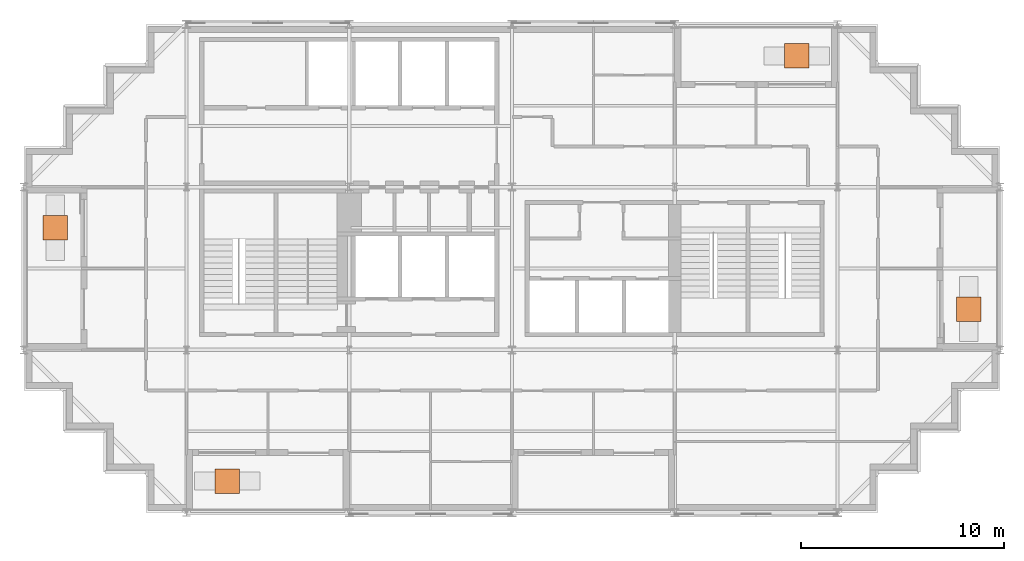
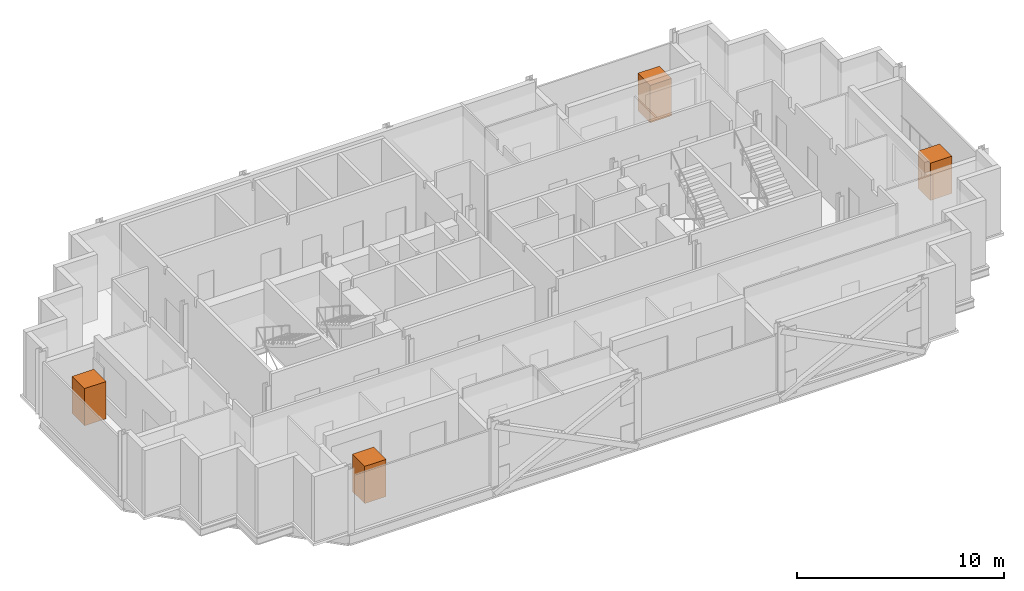
# One storey, part 10 of 10: 4 geographic elements.
"""IFC4 building model written with IfcOpenShell, lengths in metres."""

from ifc_helpers import new_model, si_unit, direction, frame, origin, origin_2d, place, context, subcontext, project, spatial, rectangle, extrude, material, type_object, element, save


model = new_model("IFC4")

# Units and contexts
model_context = context("Model", 3, precision=1e-05, world=origin(), true_north=direction((0.0, 1.0)))
body_context = subcontext(model_context, "Body", "Model", "MODEL_VIEW")
ifc_project = project(units=[si_unit("LENGTHUNIT", "METRE"), si_unit("AREAUNIT", "SQUARE_METRE"), si_unit("VOLUMEUNIT", "CUBIC_METRE"), si_unit("PLANEANGLEUNIT", "RADIAN"), si_unit("MASSUNIT", "GRAM", prefix="KILO")], contexts=[model_context])

# Site, building, storey
site_placement = place(None, origin())
site = spatial("IfcSite", under=ifc_project, at=site_placement, CompositionType="ELEMENT")
building_placement = place(site_placement, origin())
building = spatial("IfcBuilding", under=site, at=building_placement, Name="Immortelle Media Tower", CompositionType="ELEMENT")
storey_placement = place(building_placement, frame((0.0, 0.0, 279.0)))
storey = spatial("IfcBuildingStorey", under=building, at=storey_placement, Name="L61", CompositionType="ELEMENT", Elevation=279.0)

# Geographic elements
ifc_material = material(Name="Tree canopy foliage")
geographic_element_type = type_object("IfcGeographicElementType", Name="Tree", PredefinedType="USERDEFINED", material=ifc_material)
for number, where, z_axis, x_axis, name in (
    (1, (10.0, 1.550048828125, 0.60009765625), (0.0, 0.0, 1.0), (1.0, 0.0, 0.0), "Tree L61 S0"),
    (2, (46.449951171875, 10.0, 0.60009765625), (0.0, 0.0, 1.0), (1.0, 0.0, 0.0), "Tree L61 E0"),
    (3, (38.0, 22.449951171875, 0.60009765625), (0.0, 0.0, 1.0), (1.0, 0.0, 0.0), "Tree L61 N0"),
    (4, (1.550048828125, 14.0, 0.60009765625), (0.0, 0.0, 1.0), (1.0, 0.0, 0.0), "Tree L61 W0"),
):
    element("IfcGeographicElement", number, at=place(storey_placement, frame(where, z_axis=z_axis, x_axis=x_axis)), inside=storey, type_object=geographic_element_type, Name=name, ObjectType="Tree", PredefinedType="USERDEFINED", context=body_context, shape_type="SweptSolid", body=[
        extrude(rectangle(XDim=1.199951171875, YDim=1.199951171875, at=origin_2d()), origin(), (0.0, 0.0, 1.0), 2.199951171875),
    ])

save(model, "model.ifc")
